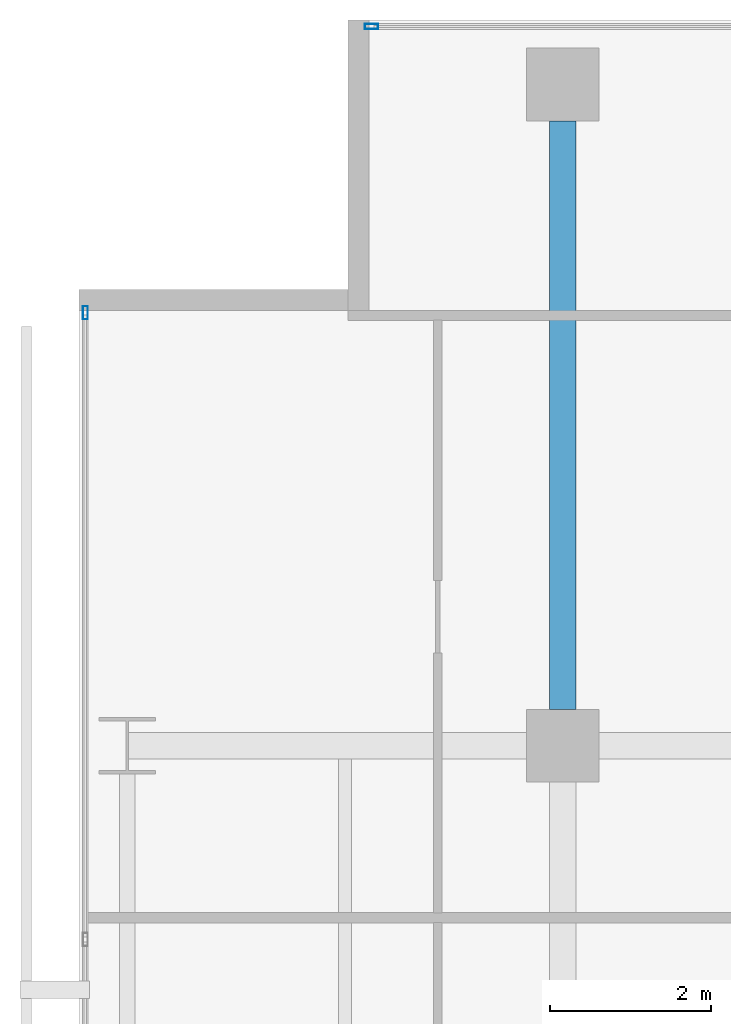
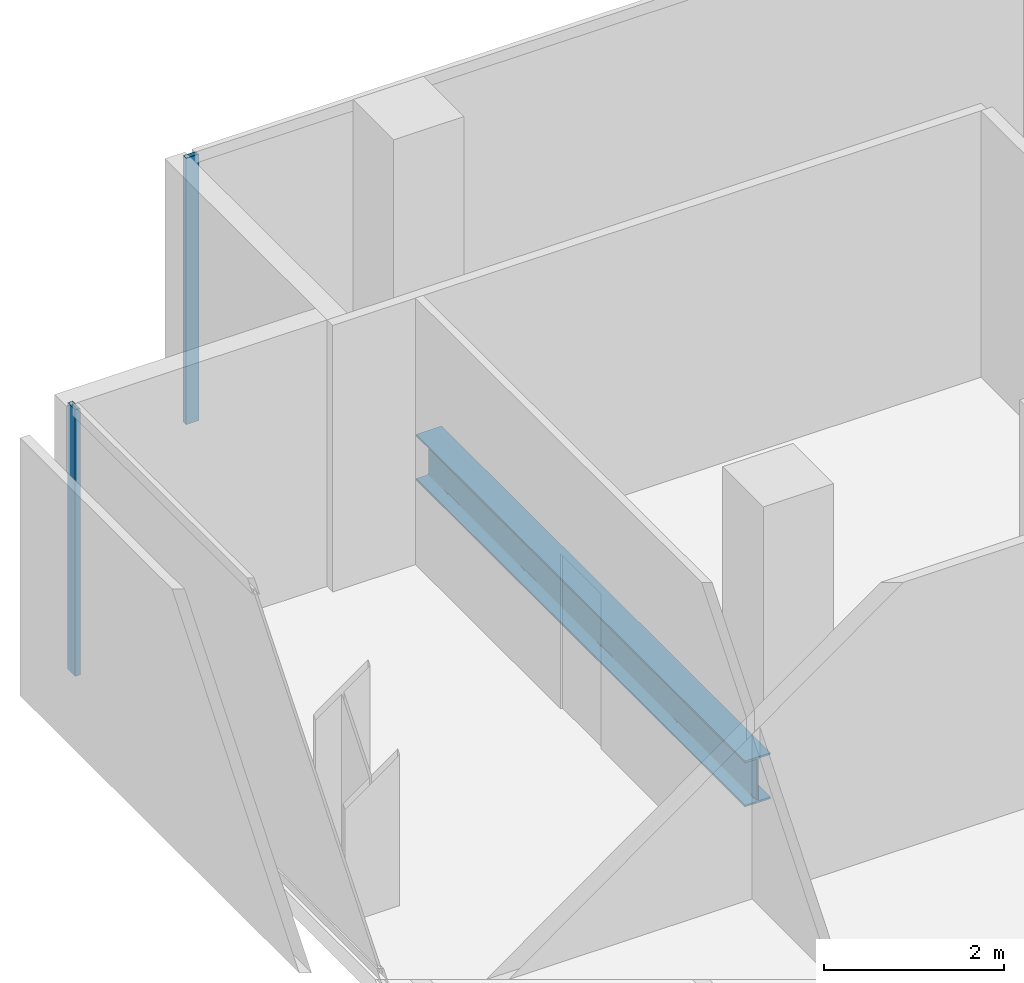
# One storey, part 25 of 40: 2 members, 1 beam, 2 elements without a shape of their own.
"""IFC4 building model written with IfcOpenShell, lengths in metres."""

from ifc_helpers import new_model, si_unit, direction, frame, origin, origin_2d, place, context, subcontext, project, spatial, hollow_rectangle, i_section, extrude, material, layer, layer_set, material_profile, profile_set, type_object, element, aggregate, save


model = new_model("IFC4")

# Units and contexts
model_context = context("Model", 3, precision=1e-05, world=origin(), true_north=direction((0.0, 1.0)))
body_context = subcontext(model_context, "Body", "Model", "MODEL_VIEW")
ifc_project = project(units=[si_unit("LENGTHUNIT", "METRE"), si_unit("AREAUNIT", "SQUARE_METRE"), si_unit("VOLUMEUNIT", "CUBIC_METRE"), si_unit("PLANEANGLEUNIT", "RADIAN"), si_unit("MASSUNIT", "GRAM", prefix="KILO")], contexts=[model_context])

# Site, building, storey
site_placement = place(None, origin())
site = spatial("IfcSite", under=ifc_project, at=site_placement, CompositionType="ELEMENT")
building_placement = place(site_placement, origin())
building = spatial("IfcBuilding", under=site, at=building_placement, Name="Maruvema Waterfront Hotel and Observation Tower", CompositionType="ELEMENT")
storey_placement = place(building_placement, frame((0.0, 0.0, 50.050048828125)))
storey = spatial("IfcBuildingStorey", under=building, at=storey_placement, Name="L11", CompositionType="ELEMENT", Elevation=50.050048828125)

# Curtain wall, member
ifc_material_1 = material(Name="Anodised bronze aluminium and solar-control low-E IGU", Category="aluminium")
ifc_layer = layer(ifc_material_1, 0.159912109375, Name="Zone 1 Bronze Inner Thermal Curtain Wall System CW-02")
ifc_layer_set = layer_set([ifc_layer], Name="Anodised bronze aluminium and solar-control low-E IGU")
curtain_wall_type = type_object("IfcCurtainWallType", Name="Zone 1 Bronze Inner Thermal Curtain Wall System CW-02", PredefinedType="USERDEFINED", material=ifc_layer_set)
curtain_wall_1_placement = place(storey_placement, origin())
curtain_wall_1 = element("IfcCurtainWall", 1, at=curtain_wall_1_placement, inside=storey, type_object=curtain_wall_type, Name="L11 Curtain Wall CW-L11-W", ObjectType="UNITISED CURTAIN WALL", PredefinedType="USERDEFINED")
ifc_material_2 = material(Name="Anodised architectural bronze aluminium", Category="aluminium")
ifc_material_profile_1 = material_profile(ifc_material_2, hollow_rectangle(XDim=0.06494140625, YDim=0.1650390625, WallThickness=0.00390625, at=origin_2d()), Name="ALU-M65x165")
ifc_profile_set_1 = profile_set([ifc_material_profile_1], Name="Anodised architectural bronze aluminium")
member_type = type_object("IfcMemberType", Name="Curtain Wall Primary Mullion ALU-M65x165", PredefinedType="MULLION", material=ifc_profile_set_1)
member_1_placement = place(storey_placement, frame((10.8798828125, 50.3701171875, 0.0), z_axis=(0.0, 0.0, 1.0), x_axis=(1.0, 0.0, 0.0)))
member_1 = element("IfcMember", 2, at=member_1_placement, type_object=member_type, Name="CW-02 mullion 1", PredefinedType="MULLION", context=body_context, shape_type="SweptSolid", body=[
    extrude(hollow_rectangle(XDim=0.06494140625, YDim=0.1650390625, WallThickness=0.00390625, at=origin_2d()), origin(), (0.0, 0.0, 1.0), 3.60986328125),
])
aggregate(curtain_wall_1, [member_1])

curtain_wall_2_placement = place(storey_placement, origin())
curtain_wall_2 = element("IfcCurtainWall", 3, at=curtain_wall_2_placement, inside=storey, type_object=curtain_wall_type, Name="L11 Curtain Wall CW-L11-NW", ObjectType="UNITISED CURTAIN WALL", PredefinedType="USERDEFINED")
member_2_placement = place(storey_placement, frame((14.429931640625, 53.919921875, 0.0), z_axis=(0.0, 0.0, 1.0), x_axis=(0.0, -1.0, 0.0)))
member_2 = element("IfcMember", 4, at=member_2_placement, type_object=member_type, Name="CW-02 mullion 2", PredefinedType="MULLION", context=body_context, shape_type="SweptSolid", body=[
    extrude(hollow_rectangle(XDim=0.06494140625, YDim=0.1650390625, WallThickness=0.00390625, at=origin_2d()), origin(), (0.0, 0.0, 1.0), 3.60986328125),
])
aggregate(curtain_wall_2, [member_2])

# Beam
ifc_material_3 = material(Name="Steel ASTM A572 Grade 50", Category="steel")
ifc_material_profile_2 = material_profile(ifc_material_3, i_section(OverallWidth=0.326904296875, OverallDepth=0.6220703125, WebThickness=0.015380859375, FlangeThickness=0.0244140625, FilletRadius=0.01806640625, at=origin_2d()), Name="W610x195.0")
ifc_profile_set_2 = profile_set([ifc_material_profile_2], Name="Steel ASTM A572 Grade 50")
beam_type = type_object("IfcBeamType", Name="Primary Floor Girder W610x195.0", PredefinedType="BEAM", material=ifc_profile_set_2)
beam_placement = place(storey_placement, frame((16.800048828125, 45.449951171875, -0.551025390625), z_axis=(0.0, 1.0, 0.0), x_axis=(-1.0, 0.0, 0.0)))
element("IfcBeam", 5, at=beam_placement, inside=storey, type_object=beam_type, Name="L11 Floor Girder NS-10", PredefinedType="BEAM", context=body_context, shape_type="SweptSolid", body=[
    extrude(i_section(OverallWidth=0.326904296875, OverallDepth=0.6220703125, WebThickness=0.015380859375, FlangeThickness=0.0244140625, FilletRadius=0.01806640625, at=origin_2d()), origin(), (0.0, 0.0, 1.0), 7.300048828125),
])

save(model, "model.ifc")
